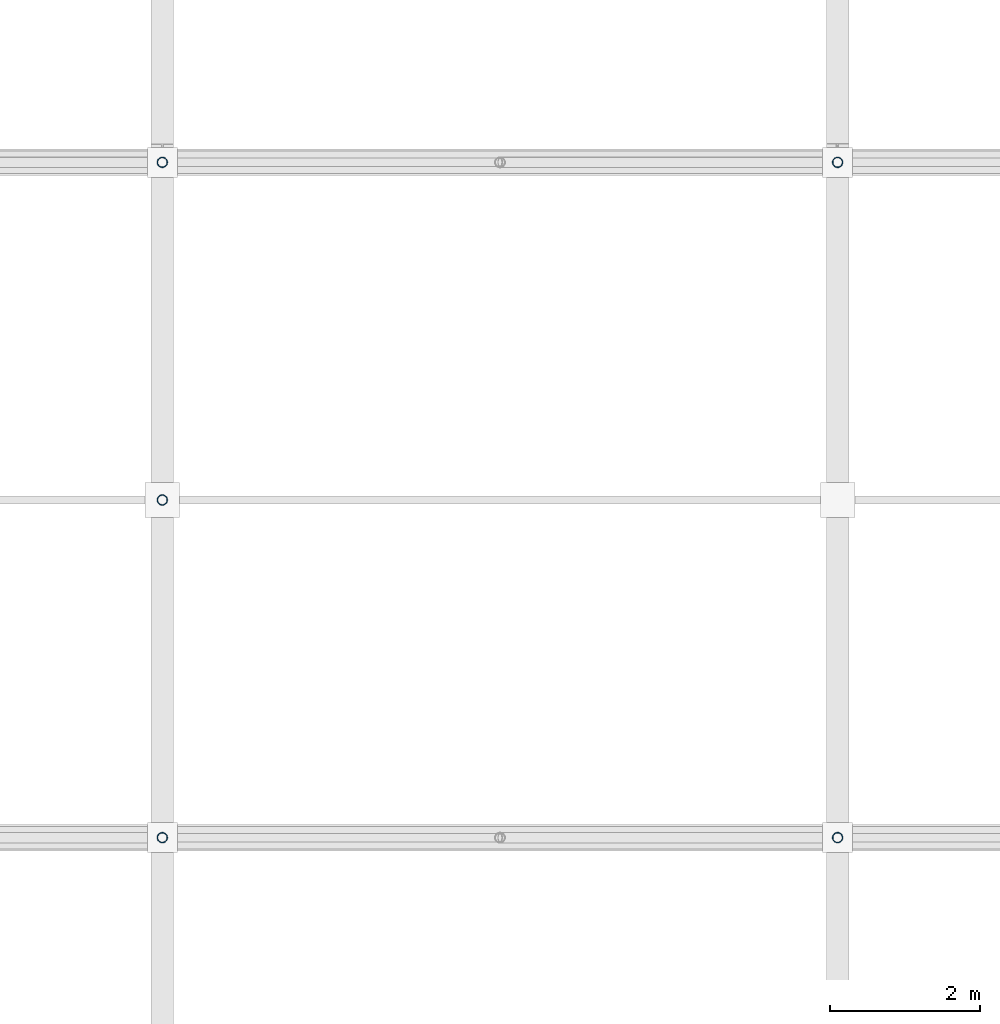
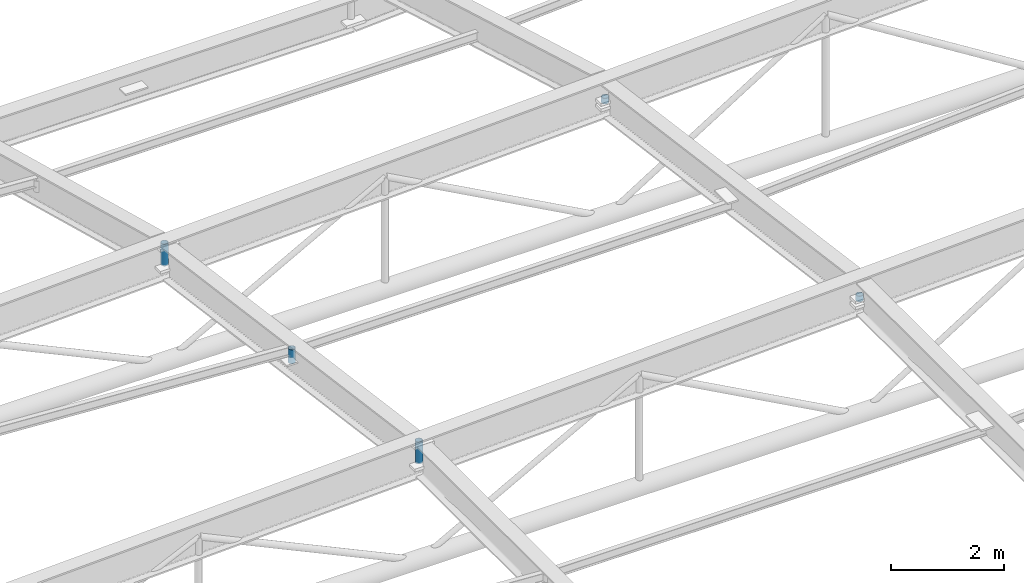
# One storey, part 70 of 80: 5 members.
"""IFC4 building model written with IfcOpenShell, lengths in metres."""

from ifc_helpers import new_model, si_unit, direction, frame, origin, origin_2d, place, context, subcontext, project, spatial, hollow_circle, extrude, material, material_profile, profile_set, type_object, element, save


model = new_model("IFC4")

# Units and contexts
model_context = context("Model", 3, precision=1e-05, world=origin(), true_north=direction((0.0, 1.0)))
body_context = subcontext(model_context, "Body", "Model", "MODEL_VIEW")
ifc_project = project(units=[si_unit("LENGTHUNIT", "METRE"), si_unit("AREAUNIT", "SQUARE_METRE"), si_unit("VOLUMEUNIT", "CUBIC_METRE"), si_unit("PLANEANGLEUNIT", "RADIAN"), si_unit("MASSUNIT", "GRAM", prefix="KILO")], contexts=[model_context])

# Site, building, storey
site_placement = place(None, origin())
site = spatial("IfcSite", under=ifc_project, at=site_placement, CompositionType="ELEMENT")
building_placement = place(site_placement, origin())
building = spatial("IfcBuilding", under=site, at=building_placement, Name="Barlavento Convention Centre", CompositionType="ELEMENT")
storey_placement = place(building_placement, frame((0.0, 0.0, 29.800048828125)))
storey = spatial("IfcBuildingStorey", under=building, at=storey_placement, Name="RF", CompositionType="ELEMENT", Elevation=29.800048828125)

# Members
ifc_material = material(Name="Steel S355", Category="steel")
ifc_material_profile = material_profile(ifc_material, hollow_circle(Radius=0.06982421875, WallThickness=0.008056640625, at=origin_2d()), Name="CHS 139.7x8.0")
ifc_profile_set = profile_set([ifc_material_profile], Name="Steel S355")
member_type = type_object("IfcMemberType", Name="STR-MEM-DIAG-CHS139", PredefinedType="BRACE", material=ifc_profile_set)
for number, where, z_axis, x_axis, name in (
    (1, (27.0, 27.0, -1.05322265625), (0.0, 0.0, 1.0), (1.0, 0.0, 0.0), "Congress space frame vertical node post TD04"),
    (2, (27.0, 36.0, -2.239013671875), (0.0, 0.0, 1.0), (1.0, 0.0, 0.0), "Congress space frame vertical node post TD04"),
):
    element("IfcMember", number, at=place(storey_placement, frame(where, z_axis=z_axis, x_axis=x_axis)), inside=storey, type_object=member_type, Name=name, PredefinedType="BRACE", context=body_context, shape_type="SweptSolid", body=[
        extrude(hollow_circle(Radius=0.06982421875, WallThickness=0.008056640625, at=origin_2d()), origin(), (0.0, 0.0, 1.0), 0.47314453125),
    ])
for number, where, z_axis, x_axis, name in (
    (3, (36.0, 27.0, -0.699951171875), (0.0, 0.0, 1.0), (1.0, 0.0, 0.0), "Congress space frame vertical node post TD04"),
    (4, (36.0, 36.0, -1.8857421875), (0.0, 0.0, 1.0), (1.0, 0.0, 0.0), "Congress space frame vertical node post TD04"),
):
    element("IfcMember", number, at=place(storey_placement, frame(where, z_axis=z_axis, x_axis=x_axis)), inside=storey, type_object=member_type, Name=name, PredefinedType="BRACE", context=body_context, shape_type="SweptSolid", body=[
        extrude(hollow_circle(Radius=0.06982421875, WallThickness=0.008056640625, at=origin_2d()), origin(), (0.0, 0.0, 1.0), 0.119873046875),
    ])
member_placement = place(storey_placement, frame((27.0, 31.5, -1.615966796875), z_axis=(0.0, 0.0, 1.0), x_axis=(1.0, 0.0, 0.0)))
element("IfcMember", 5, at=member_placement, inside=storey, type_object=member_type, Name="Congress space frame vertical node post TD04", PredefinedType="BRACE", context=body_context, shape_type="SweptSolid", body=[
    extrude(hollow_circle(Radius=0.06982421875, WallThickness=0.008056640625, at=origin_2d()), origin(), (0.0, 0.0, 1.0), 0.30224609375),
])

save(model, "model.ifc")
